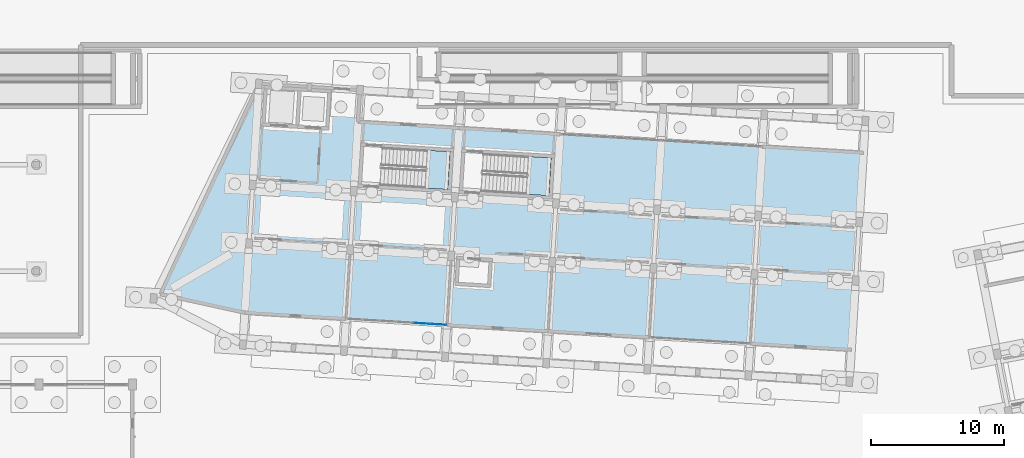
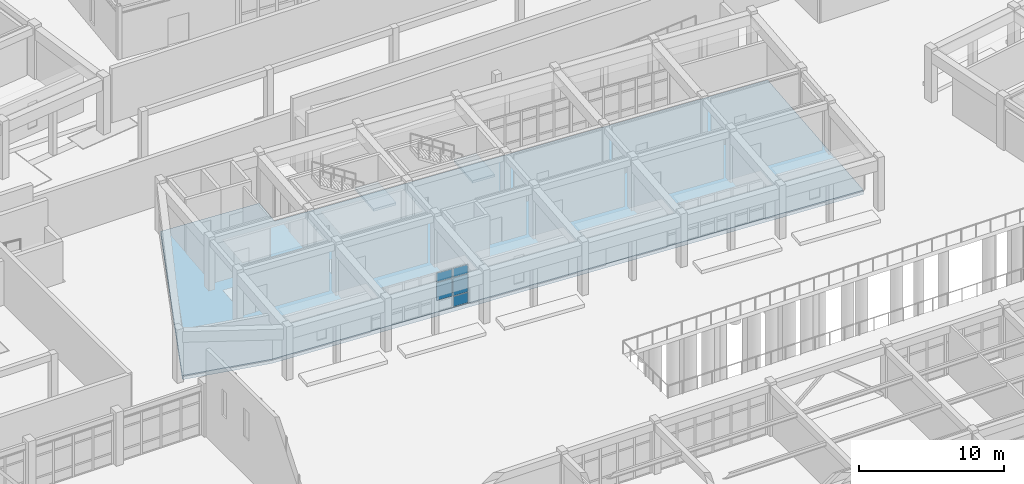
# One storey, part 104 of 154: 5 plates, 3 slabs, 3 elements without a shape of their own.
"""IFC4 building model written with IfcOpenShell, lengths in metres."""

from ifc_helpers import new_model, si_unit, direction, frame, origin, origin_2d, place, context, subcontext, project, spatial, polyline, rectangle, outline, extrude, material, layer, layer_set, type_object, element, aggregate, save


model = new_model("IFC4")

# Units and contexts
model_context = context("Model", 3, precision=1e-05, world=origin(), true_north=direction((0.0, 1.0)))
body_context = subcontext(model_context, "Body", "Model", "MODEL_VIEW")
ifc_project = project(units=[si_unit("LENGTHUNIT", "METRE"), si_unit("AREAUNIT", "SQUARE_METRE"), si_unit("VOLUMEUNIT", "CUBIC_METRE"), si_unit("PLANEANGLEUNIT", "RADIAN"), si_unit("MASSUNIT", "GRAM", prefix="KILO")], contexts=[model_context])

# Site, building, storey
site_placement = place(None, origin())
site = spatial("IfcSite", under=ifc_project, at=site_placement, CompositionType="ELEMENT")
building_placement = place(site_placement, origin())
building = spatial("IfcBuilding", under=site, at=building_placement, Name="Kestramere Prow Commons", CompositionType="ELEMENT")
storey_placement = place(building_placement, origin())
storey = spatial("IfcBuildingStorey", under=building, at=storey_placement, Name="L00", CompositionType="ELEMENT", Elevation=0.0)

# Curtain wall, plates
ifc_material_1 = material(Name="Anodised Aluminium and Low-E Glass", Category="aluminium")
curtain_wall_type = type_object("IfcCurtainWallType", Name="CW-07 Glazed Curtain Wall 7580x3350", PredefinedType="USERDEFINED", material=ifc_material_1)
curtain_wall_placement = place(storey_placement, origin())
curtain_wall = element("IfcCurtainWall", 1, at=curtain_wall_placement, inside=storey, type_object=curtain_wall_type, Name="Block C L00 South Colonnade Storefront 2", ObjectType="GLAZED CURTAIN WALL", PredefinedType="USERDEFINED")
ifc_material_2 = material(Name="Low-E Laminated Double Glazing", Category="glass")
ifc_layer_1 = layer(ifc_material_2, 0.028076171875)
ifc_layer_set_1 = layer_set([ifc_layer_1], Name="Low-E Laminated Double Glazing")
plate_type = type_object("IfcPlateType", Name="CW-PNL-28", PredefinedType="CURTAIN_PANEL", material=ifc_layer_set_1)
plate_1_placement = place(storey_placement, frame((74.161376953125, 48.0078125, 0.06494140625), z_axis=(0.0, 0.0, 1.0), x_axis=(-0.998134797969, 0.061048546939, 0.0)))
plate_1 = element("IfcPlate", 2, at=plate_1_placement, type_object=plate_type, Name="CW-07 panel 1.1", PredefinedType="CURTAIN_PANEL", context=body_context, shape_type="SweptSolid", body=[
    extrude(rectangle(XDim=1.165771484375, YDim=0.028076171875, at=origin_2d()), origin(), (0.0, 0.0, 1.0), 0.8525390625),
])
plate_2_placement = place(storey_placement, frame((74.161376953125, 48.0078125, 0.982421875), z_axis=(0.0, 0.0, 1.0), x_axis=(-0.998134797969, 0.061048546939, 0.0)))
plate_2 = element("IfcPlate", 3, at=plate_2_placement, type_object=plate_type, Name="CW-07 panel 1.2", PredefinedType="CURTAIN_PANEL", context=body_context, shape_type="SweptSolid", body=[
    extrude(rectangle(XDim=1.165771484375, YDim=0.028076171875, at=origin_2d()), origin(), (0.0, 0.0, 1.0), 1.485107421875),
])
plate_3_placement = place(storey_placement, frame((74.161376953125, 48.0078125, 2.532470703125), z_axis=(0.0, 0.0, 1.0), x_axis=(-0.998134797969, 0.061048546939, 0.0)))
plate_3 = element("IfcPlate", 4, at=plate_3_placement, type_object=plate_type, Name="CW-07 panel 1.3", PredefinedType="CURTAIN_PANEL", context=body_context, shape_type="SweptSolid", body=[
    extrude(rectangle(XDim=1.165771484375, YDim=0.028076171875, at=origin_2d()), origin(), (0.0, 0.0, 1.0), 0.75244140625),
])
plate_4_placement = place(storey_placement, frame((72.916748046875, 48.083984375, 0.982421875), z_axis=(0.0, 0.0, 1.0), x_axis=(-0.998134797969, 0.061048546939, 0.0)))
plate_4 = element("IfcPlate", 5, at=plate_4_placement, type_object=plate_type, Name="CW-07 panel 2.2", PredefinedType="CURTAIN_PANEL", context=body_context, shape_type="SweptSolid", body=[
    extrude(rectangle(XDim=1.1982421875, YDim=0.028076171875, at=origin_2d()), origin(), (0.0, 0.0, 1.0), 1.485107421875),
])
plate_5_placement = place(storey_placement, frame((72.916748046875, 48.083984375, 2.532470703125), z_axis=(0.0, 0.0, 1.0), x_axis=(-0.998134797969, 0.061048546939, 0.0)))
plate_5 = element("IfcPlate", 6, at=plate_5_placement, type_object=plate_type, Name="CW-07 panel 2.3", PredefinedType="CURTAIN_PANEL", context=body_context, shape_type="SweptSolid", body=[
    extrude(rectangle(XDim=1.1982421875, YDim=0.028076171875, at=origin_2d()), origin(), (0.0, 0.0, 1.0), 0.75244140625),
])
aggregate(curtain_wall, [plate_1, plate_2, plate_3, plate_4, plate_5])

# Slab
ifc_material_3 = material(Name="Concrete C35/45", Category="concrete")
ifc_layer_2 = layer(ifc_material_3, 0.35009765625)
ifc_layer_set_2 = layer_set([ifc_layer_2], Name="Concrete C35/45")
slab_type_1 = type_object("IfcSlabType", Name="SL-BASE-350", PredefinedType="BASESLAB", material=ifc_layer_set_2)
slab_1_placement = place(storey_placement, frame((0.0, 0.0, -0.35009765625)))
element("IfcSlab", 7, at=slab_1_placement, inside=storey, type_object=slab_type_1, Name="Block C L00 Ground Floor Slab", PredefinedType="BASESLAB", context=body_context, shape_type="SweptSolid", body=[
    extrude(outline(polyline([(53.319580078125, 50.284423828125), (59.646484375, 48.8955078125), (105.161376953125, 46.11181640625), (106.06494140625, 60.884033203125), (68.1357421875, 63.203857421875), (68.282470703125, 65.599365234375), (60.696533203125, 66.0634765625), (53.319580078125, 50.284423828125)])), origin(), (0.0, 0.0, 1.0), 0.35009765625),
])

# Stair, slab
ifc_material_4 = material(Name="Concrete C40/50", Category="concrete")
stair_type = type_object("IfcStairType", Name="ST-DOG-1350", PredefinedType="HALF_TURN_STAIR", material=ifc_material_4)
stair_1_placement = place(storey_placement, origin())
stair_1 = element("IfcStair", 8, at=stair_1_placement, inside=storey, type_object=stair_type, Name="L00 Block C Exit Stair 1", PredefinedType="HALF_TURN_STAIR")
ifc_layer_3 = layer(ifc_material_4, 0.199951171875)
ifc_layer_set_3 = layer_set([ifc_layer_3], Name="Concrete C40/50")
slab_type_2 = type_object("IfcSlabType", Name="SL-ST-LAND-200", PredefinedType="LANDING", material=ifc_layer_set_3)
slab_2_placement = place(storey_placement, frame((0.0, 0.0, 2.050048828125)))
slab_2 = element("IfcSlab", 9, at=slab_2_placement, type_object=slab_type_2, Name="ST-C1 landing 1", PredefinedType="LANDING", context=body_context, shape_type="SweptSolid", body=[
    extrude(outline(polyline([(73.152099609375, 58.238525390625), (74.888916015625, 58.13232421875), (75.062744140625, 60.976806640625), (73.326171875, 61.083251953125), (73.152099609375, 58.238525390625)])), origin(), (0.0, 0.0, 1.0), 0.199951171875),
])
aggregate(stair_1, [slab_2])

stair_2_placement = place(storey_placement, origin())
stair_2 = element("IfcStair", 10, at=stair_2_placement, inside=storey, type_object=stair_type, Name="L00 Block C Exit Stair 2", PredefinedType="HALF_TURN_STAIR")
slab_3_placement = place(storey_placement, frame((0.0, 0.0, 2.050048828125)))
slab_3 = element("IfcSlab", 11, at=slab_3_placement, type_object=slab_type_2, Name="ST-C2 landing 1", PredefinedType="LANDING", context=body_context, shape_type="SweptSolid", body=[
    extrude(outline(polyline([(80.73779296875, 57.7744140625), (82.474609375, 57.668212890625), (82.648681640625, 60.512939453125), (80.911865234375, 60.619140625), (80.73779296875, 57.7744140625)])), origin(), (0.0, 0.0, 1.0), 0.199951171875),
])
aggregate(stair_2, [slab_3])

save(model, "model.ifc")
